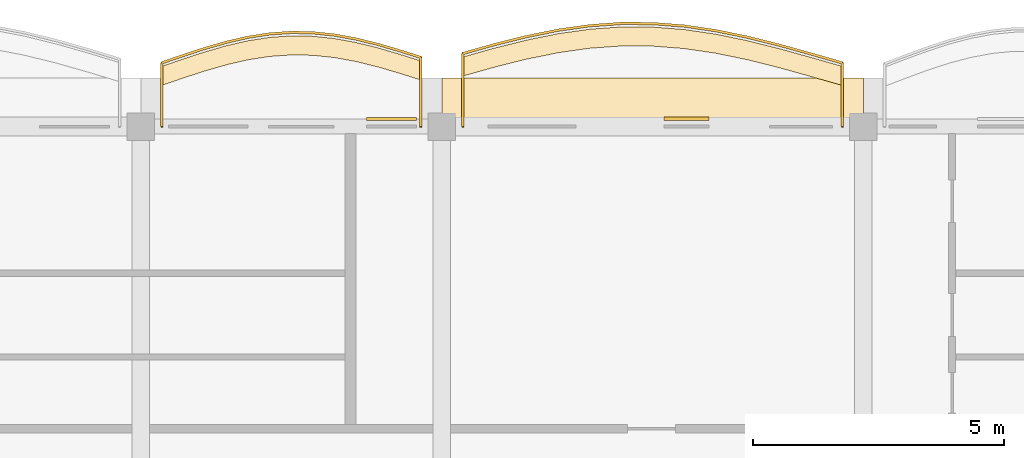
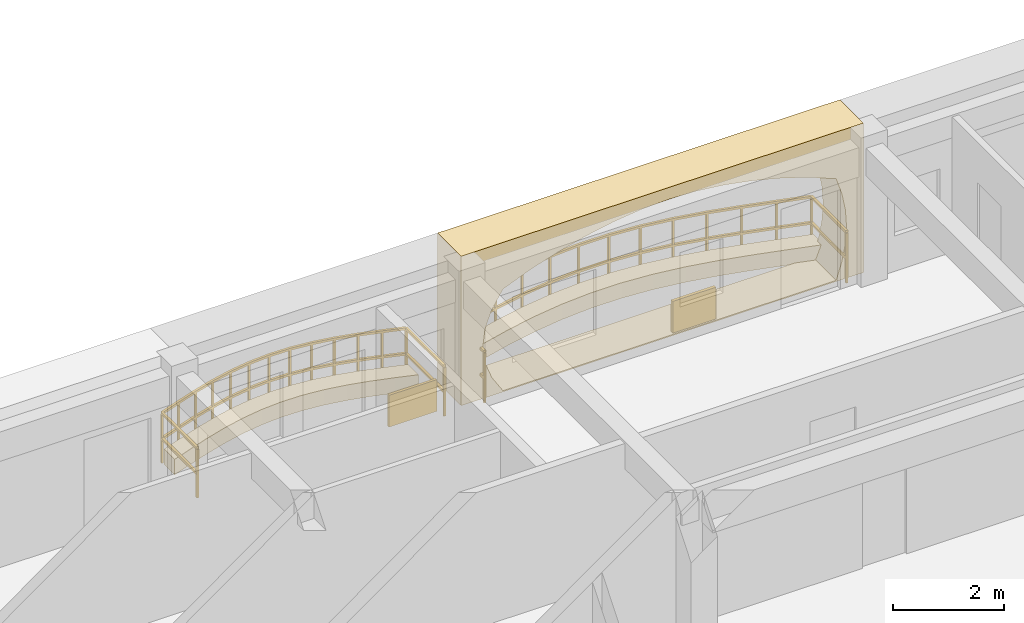
# One storey, part 50 of 54: 5 coverings, 2 railings.
"""IFC4 building model written with IfcOpenShell, lengths in metres."""

from ifc_helpers import new_model, si_unit, direction, frame, origin, origin_2d, place, context, subcontext, project, spatial, polyline, rectangle, outline, extrude, material, layer, layer_set, type_object, element, save


model = new_model("IFC4")

# Units and contexts
model_context = context("Model", 3, precision=1e-05, world=origin(), true_north=direction((0.0, 1.0)))
body_context = subcontext(model_context, "Body", "Model", "MODEL_VIEW")
ifc_project = project(units=[si_unit("LENGTHUNIT", "METRE"), si_unit("AREAUNIT", "SQUARE_METRE"), si_unit("VOLUMEUNIT", "CUBIC_METRE"), si_unit("PLANEANGLEUNIT", "RADIAN"), si_unit("MASSUNIT", "GRAM", prefix="KILO"), si_unit("THERMODYNAMICTEMPERATUREUNIT", "KELVIN")], contexts=[model_context])

# Site, building, storey
site_placement = place(None, origin())
site = spatial("IfcSite", under=ifc_project, at=site_placement, CompositionType="ELEMENT")
building_placement = place(site_placement, origin())
building = spatial("IfcBuilding", under=site, at=building_placement, Name="Thalorik Housing Commons", CompositionType="ELEMENT")
storey_placement = place(building_placement, frame((0.0, 0.0, 31.199951171875)))
storey = spatial("IfcBuildingStorey", under=building, at=storey_placement, Name="L09", CompositionType="ELEMENT", Elevation=31.199951171875)

# Coverings
ifc_material_1 = material(Name="Precast concrete C40/50", Category="concrete")
ifc_layer_1 = layer(ifc_material_1, 0.85009765625, Name="Precast concrete C40/50", Category="concrete")
ifc_layer_set_1 = layer_set([ifc_layer_1], Name="Precast concrete C40/50")
covering_type_1 = type_object("IfcCoveringType", Name="ARC-CLD-CUSH-850", PredefinedType="CLADDING", material=ifc_layer_set_1)
covering_1_placement = place(storey_placement, frame((133.800048828125, 124.142578125, 0.0), z_axis=(0.0, 0.0, 1.0), x_axis=(-1.0, 0.0, 0.0)))
element("IfcCovering", 1, at=covering_1_placement, inside=storey, type_object=covering_type_1, Name="L09 White Precast Curved Cushion Bay Frame 2896", PredefinedType="CLADDING", context=body_context, shape_type="SweptSolid", body=[
    extrude(outline(polyline([(-4.199951171875, 0.0), (4.199951171875, 0.0), (4.199951171875, 3.300048828125), (-4.199951171875, 3.300048828125), (-4.199951171875, 0.0)]), holes=[polyline([(3.327392578125, 0.02490234375), (3.562255859375, 0.399169921875), (3.703125, 0.773193359375), (3.75, 1.1474609375), (3.703125, 1.521728515625), (3.562255859375, 1.895751953125), (3.327392578125, 2.27001953125), (2.747802734375, 2.50439453125), (2.16796875, 2.6884765625), (1.588134765625, 2.837646484375), (1.00830078125, 2.948486328125), (0.428466796875, 3.016845703125), (-0.1513671875, 3.0400390625), (-0.73095703125, 3.016845703125), (-1.310791015625, 2.948486328125), (-1.890625, 2.837646484375), (-2.470458984375, 2.6884765625), (-3.05029296875, 2.50439453125), (-3.6298828125, 2.27001953125), (-3.750244140625, 1.895751953125), (-3.822509765625, 1.521728515625), (-3.8466796875, 1.1474609375), (-3.822509765625, 0.773193359375), (-3.750244140625, 0.399169921875), (-3.6298828125, 0.02490234375), (3.327392578125, 0.02490234375)])]), frame((0.0, 0.425048828125, 0.0), z_axis=(0.0, -1.0, 0.0), x_axis=(1.0, 0.0, 0.0)), (0.0, 0.0, 1.0), 0.85009765625),
])
ifc_material_2 = material(Name="Terracotta red mineral fibre-cement panel", Category="masonry")
ifc_layer_2 = layer(ifc_material_2, 0.054931640625, Name="Terracotta red mineral fibre-cement panel", Category="masonry")
ifc_layer_set_2 = layer_set([ifc_layer_2], Name="Terracotta red mineral fibre-cement panel")
covering_type_2 = type_object("IfcCoveringType", Name="ARC-CLD-RED-55", PredefinedType="CLADDING", material=ifc_layer_set_2)
covering_2_placement = place(storey_placement, frame((128.594970703125, 123.75, 0.05029296875), z_axis=(0.0, 0.0, 1.0), x_axis=(-1.0, 0.0, 0.0)))
element("IfcCovering", 2, at=covering_2_placement, inside=storey, type_object=covering_type_2, Name="L09 De Stijl Recessed Window Spandrel 2899", PredefinedType="CLADDING", context=body_context, shape_type="SweptSolid", body=[
    extrude(rectangle(XDim=1.0, YDim=0.054931640625, at=origin_2d()), origin(), (0.0, 0.0, 1.0), 0.699951171875),
])
ifc_material_3 = material(Name="Mineral ochre architectural terracotta panel", Category="masonry")
ifc_layer_3 = layer(ifc_material_3, 0.06494140625, Name="Mineral ochre architectural terracotta panel", Category="masonry")
ifc_layer_set_3 = layer_set([ifc_layer_3], Name="Mineral ochre architectural terracotta panel")
covering_type_3 = type_object("IfcCoveringType", Name="ARC-CLD-YEL-65", PredefinedType="CLADDING", material=ifc_layer_set_3)
covering_3_placement = place(storey_placement, frame((134.472412109375, 123.7548828125, 0.05029296875), z_axis=(0.0, 0.0, 1.0), x_axis=(-1.0, 0.0, 0.0)))
element("IfcCovering", 3, at=covering_3_placement, inside=storey, type_object=covering_type_3, Name="L09 De Stijl Recessed Window Spandrel 2897", PredefinedType="CLADDING", context=body_context, shape_type="SweptSolid", body=[
    extrude(rectangle(XDim=0.89990234375, YDim=0.06494140625, at=origin_2d()), origin(), (0.0, 0.0, 1.0), 0.699951171875),
])
ifc_material_4 = material(Name="Planted vegetated substrate and terracotta trough", Category="masonry")
ifc_layer_4 = layer(ifc_material_4, 0.340087890625, Name="Planted vegetated substrate and terracotta trough", Category="masonry")
ifc_layer_set_4 = layer_set([ifc_layer_4], Name="Planted vegetated substrate and terracotta trough")
covering_type_4 = type_object("IfcCoveringType", Name="ARC-COV-PLANTER", PredefinedType="USERDEFINED", material=ifc_layer_set_4)
covering_4_placement = place(storey_placement, origin())
element("IfcCovering", 4, at=covering_4_placement, inside=storey, type_object=covering_type_4, Name="L09 Balcony Slab-Edge Planted Trough 5532", ObjectType="PLANTER", PredefinedType="USERDEFINED", context=body_context, shape_type="SweptSolid", body=[
    extrude(outline(polyline([(129.179931640625, 124.908203125), (128.75, 125.04443359375), (128.320068359375, 125.170166015625), (127.889892578125, 125.2763671875), (127.4599609375, 125.35498046875), (127.030029296875, 125.39990234375), (126.60009765625, 125.407958984375), (126.169921875, 125.377685546875), (125.739990234375, 125.311279296875), (125.31005859375, 125.212890625), (124.8798828125, 125.089111328125), (124.449951171875, 124.948486328125), (124.02001953125, 124.80078125), (124.02001953125, 124.4208984375), (124.449951171875, 124.568603515625), (124.8798828125, 124.708984375), (125.31005859375, 124.832763671875), (125.739990234375, 124.931396484375), (126.169921875, 124.997802734375), (126.60009765625, 125.02783203125), (127.030029296875, 125.02001953125), (127.4599609375, 124.974853515625), (127.889892578125, 124.896240234375), (128.320068359375, 124.790283203125), (128.75, 124.664306640625), (129.179931640625, 124.5283203125), (129.179931640625, 124.908203125)])), origin(), (0.0, 0.0, 1.0), 0.340087890625),
])
covering_5_placement = place(storey_placement, origin())
element("IfcCovering", 5, at=covering_5_placement, inside=storey, type_object=covering_type_4, Name="L09 Balcony Slab-Edge Planted Trough 5533", ObjectType="PLANTER", PredefinedType="USERDEFINED", context=body_context, shape_type="SweptSolid", body=[
    extrude(outline(polyline([(137.580078125, 124.79931640625), (136.949951171875, 124.97900390625), (136.320068359375, 125.15380859375), (135.68994140625, 125.3115234375), (135.06005859375, 125.44140625), (134.429931640625, 125.5341796875), (133.800048828125, 125.58349609375), (133.169921875, 125.58544921875), (132.5400390625, 125.5400390625), (131.909912109375, 125.4501953125), (131.280029296875, 125.322021484375), (130.64990234375, 125.1640625), (130.02001953125, 124.9873046875), (130.02001953125, 124.607421875), (130.64990234375, 124.7841796875), (131.280029296875, 124.94189453125), (131.909912109375, 125.0703125), (132.5400390625, 125.16015625), (133.169921875, 125.20556640625), (133.800048828125, 125.203369140625), (134.429931640625, 125.154296875), (135.06005859375, 125.061279296875), (135.68994140625, 124.931640625), (136.320068359375, 124.773681640625), (136.949951171875, 124.598876953125), (137.580078125, 124.419189453125), (137.580078125, 124.79931640625)])), origin(), (0.0, 0.0, 1.0), 0.340087890625),
])

# Railings
ifc_material_5 = material(Name="Steel S355", Category="steel")
railing_type_1 = type_object("IfcRailingType", Name="ARC-RL-BAL-112", PredefinedType="BALUSTRADE", material=ifc_material_5)
railing_1_placement = place(storey_placement, frame((129.179931640625, 123.60009765625, 0.0)))
element("IfcRailing", 6, at=railing_1_placement, inside=storey, type_object=railing_type_1, Name="L09 Cushion Balcony Guardrail 216", PredefinedType="BALUSTRADE", context=body_context, shape_type="SweptSolid", body=[
    extrude(rectangle(XDim=0.050048828125, YDim=0.050048828125, at=origin_2d()), frame((0.0, 0.0, 1.09521484375), z_axis=(0.0, 1.0, 0.0), x_axis=(-1.0, 0.0, 0.0)), (0.0, 0.0, 1.0), 1.378173828125),
    extrude(rectangle(XDim=0.050048828125, YDim=0.050048828125, at=origin_2d()), frame((0.0, 0.0, 0.53515625), z_axis=(0.0, 1.0, 0.0), x_axis=(-1.0, 0.0, 0.0)), (0.0, 0.0, 1.0), 1.378173828125),
    extrude(rectangle(XDim=0.050048828125, YDim=0.050048828125, at=origin_2d()), frame((0.0, 1.378173828125, 1.09521484375), z_axis=(-0.953287680153, 0.302063898652, 0.0), x_axis=(-0.302063898652, -0.953287680153, 0.0)), (0.0, 0.0, 1.0), 0.450927734375),
    extrude(rectangle(XDim=0.050048828125, YDim=0.050048828125, at=origin_2d()), frame((0.0, 1.378173828125, 0.53515625), z_axis=(-0.953287680153, 0.302063898652, 0.0), x_axis=(-0.302063898652, -0.953287680153, 0.0)), (0.0, 0.0, 1.0), 0.450927734375),
    extrude(rectangle(XDim=0.050048828125, YDim=0.050048828125, at=origin_2d()), frame((-0.429931640625, 1.514404296875, 1.09521484375), z_axis=(-0.959798308367, 0.280690589897, 0.0), x_axis=(-0.280690589897, -0.959798308367, 0.0)), (0.0, 0.0, 1.0), 0.447998046875),
    extrude(rectangle(XDim=0.050048828125, YDim=0.050048828125, at=origin_2d()), frame((-0.429931640625, 1.514404296875, 0.53515625), z_axis=(-0.959798308367, 0.280690589897, 0.0), x_axis=(-0.280690589897, -0.959798308367, 0.0)), (0.0, 0.0, 1.0), 0.447998046875),
    extrude(rectangle(XDim=0.050048828125, YDim=0.050048828125, at=origin_2d()), frame((-0.85986328125, 1.64013671875, 1.09521484375), z_axis=(-0.970979450466, 0.239162929343, 0.0), x_axis=(-0.239162929343, -0.970979450466, 0.0)), (0.0, 0.0, 1.0), 0.443115234375),
    extrude(rectangle(XDim=0.050048828125, YDim=0.050048828125, at=origin_2d()), frame((-0.85986328125, 1.64013671875, 0.53515625), z_axis=(-0.970979450466, 0.239162929343, 0.0), x_axis=(-0.239162929343, -0.970979450466, 0.0)), (0.0, 0.0, 1.0), 0.443115234375),
    extrude(rectangle(XDim=0.050048828125, YDim=0.050048828125, at=origin_2d()), frame((-1.2900390625, 1.74609375, 1.09521484375), z_axis=(-0.983690667617, 0.179868480961, 0.0), x_axis=(-0.179868480961, -0.983690667617, 0.0)), (0.0, 0.0, 1.0), 0.43701171875),
    extrude(rectangle(XDim=0.050048828125, YDim=0.050048828125, at=origin_2d()), frame((-1.2900390625, 1.74609375, 0.53515625), z_axis=(-0.983690667617, 0.179868480961, 0.0), x_axis=(-0.179868480961, -0.983690667617, 0.0)), (0.0, 0.0, 1.0), 0.43701171875),
    extrude(rectangle(XDim=0.050048828125, YDim=0.050048828125, at=origin_2d()), frame((-1.719970703125, 1.82470703125, 1.09521484375), z_axis=(-0.994527093325, 0.104478996176, 0.0), x_axis=(-0.104478996176, -0.994527093325, 0.0)), (0.0, 0.0, 1.0), 0.432373046875),
    extrude(rectangle(XDim=0.050048828125, YDim=0.050048828125, at=origin_2d()), frame((-1.719970703125, 1.82470703125, 0.53515625), z_axis=(-0.994527093325, 0.104478996176, 0.0), x_axis=(-0.104478996176, -0.994527093325, 0.0)), (0.0, 0.0, 1.0), 0.432373046875),
    extrude(rectangle(XDim=0.050048828125, YDim=0.050048828125, at=origin_2d()), frame((-2.14990234375, 1.869873046875, 1.09521484375), z_axis=(-0.999834939289, 0.01816849407, 0.0), x_axis=(-0.01816849407, -0.999834939289, 0.0)), (0.0, 0.0, 1.0), 0.429931640625),
    extrude(rectangle(XDim=0.050048828125, YDim=0.050048828125, at=origin_2d()), frame((-2.14990234375, 1.869873046875, 0.53515625), z_axis=(-0.999834939289, 0.01816849407, 0.0), x_axis=(-0.01816849407, -0.999834939289, 0.0)), (0.0, 0.0, 1.0), 0.429931640625),
    extrude(rectangle(XDim=0.050048828125, YDim=0.050048828125, at=origin_2d()), frame((-2.579833984375, 1.877685546875, 1.09521484375), z_axis=(-0.997572357633, -0.069637570936, 0.0), x_axis=(0.069637570936, -0.997572357633, 0.0)), (0.0, 0.0, 1.0), 0.43115234375),
    extrude(rectangle(XDim=0.050048828125, YDim=0.050048828125, at=origin_2d()), frame((-2.579833984375, 1.877685546875, 0.53515625), z_axis=(-0.997572357633, -0.069637570936, 0.0), x_axis=(0.069637570936, -0.997572357633, 0.0)), (0.0, 0.0, 1.0), 0.43115234375),
    extrude(rectangle(XDim=0.050048828125, YDim=0.050048828125, at=origin_2d()), frame((-3.010009765625, 1.84765625, 1.09521484375), z_axis=(-0.988280690568, -0.152647556976, 0.0), x_axis=(0.152647556976, -0.988280690568, 0.0)), (0.0, 0.0, 1.0), 0.43505859375),
    extrude(rectangle(XDim=0.050048828125, YDim=0.050048828125, at=origin_2d()), frame((-3.010009765625, 1.84765625, 0.53515625), z_axis=(-0.988280690568, -0.152647556976, 0.0), x_axis=(0.152647556976, -0.988280690568, 0.0)), (0.0, 0.0, 1.0), 0.43505859375),
    extrude(rectangle(XDim=0.050048828125, YDim=0.050048828125, at=origin_2d()), frame((-3.43994140625, 1.78125, 1.09521484375), z_axis=(-0.974679568058, -0.2236062155, 0.0), x_axis=(0.2236062155, -0.974679568058, 0.0)), (0.0, 0.0, 1.0), 0.441162109375),
    extrude(rectangle(XDim=0.050048828125, YDim=0.050048828125, at=origin_2d()), frame((-3.43994140625, 1.78125, 0.53515625), z_axis=(-0.974679568058, -0.2236062155, 0.0), x_axis=(0.2236062155, -0.974679568058, 0.0)), (0.0, 0.0, 1.0), 0.441162109375),
    extrude(rectangle(XDim=0.050048828125, YDim=0.050048828125, at=origin_2d()), frame((-3.869873046875, 1.6826171875, 1.09521484375), z_axis=(-0.961007725956, -0.27652151933, 0.0), x_axis=(0.27652151933, -0.961007725956, 0.0)), (0.0, 0.0, 1.0), 0.447509765625),
    extrude(rectangle(XDim=0.050048828125, YDim=0.050048828125, at=origin_2d()), frame((-3.869873046875, 1.6826171875, 0.53515625), z_axis=(-0.961007725956, -0.27652151933, 0.0), x_axis=(0.27652151933, -0.961007725956, 0.0)), (0.0, 0.0, 1.0), 0.447509765625),
    extrude(rectangle(XDim=0.050048828125, YDim=0.050048828125, at=origin_2d()), frame((-4.300048828125, 1.558837890625, 1.09521484375), z_axis=(-0.950608707094, -0.310391826564, 0.0), x_axis=(0.310391826564, -0.950608707094, 0.0)), (0.0, 0.0, 1.0), 0.4521484375),
    extrude(rectangle(XDim=0.050048828125, YDim=0.050048828125, at=origin_2d()), frame((-4.300048828125, 1.558837890625, 0.53515625), z_axis=(-0.950608707094, -0.310391826564, 0.0), x_axis=(0.310391826564, -0.950608707094, 0.0)), (0.0, 0.0, 1.0), 0.4521484375),
    extrude(rectangle(XDim=0.050048828125, YDim=0.050048828125, at=origin_2d()), frame((-4.72998046875, 1.41845703125, 1.09521484375), z_axis=(-0.945743338546, -0.324914662022, 0.0), x_axis=(0.324914662022, -0.945743338546, 0.0)), (0.0, 0.0, 1.0), 0.45458984375),
    extrude(rectangle(XDim=0.050048828125, YDim=0.050048828125, at=origin_2d()), frame((-4.72998046875, 1.41845703125, 0.53515625), z_axis=(-0.945743338546, -0.324914662022, 0.0), x_axis=(0.324914662022, -0.945743338546, 0.0)), (0.0, 0.0, 1.0), 0.45458984375),
    extrude(rectangle(XDim=0.050048828125, YDim=0.050048828125, at=origin_2d()), frame((-5.159912109375, 1.270751953125, 1.09521484375), z_axis=(0.0, -1.0, 0.0), x_axis=(1.0, 0.0, 0.0)), (0.0, 0.0, 1.0), 1.270751953125),
    extrude(rectangle(XDim=0.050048828125, YDim=0.050048828125, at=origin_2d()), frame((-5.159912109375, 1.270751953125, 0.53515625), z_axis=(0.0, -1.0, 0.0), x_axis=(1.0, 0.0, 0.0)), (0.0, 0.0, 1.0), 1.270751953125),
    extrude(rectangle(XDim=0.0419921875, YDim=0.0419921875, at=origin_2d()), origin(), (0.0, 0.0, 1.0), 1.070068359375),
    extrude(rectangle(XDim=0.0419921875, YDim=0.0419921875, at=origin_2d()), frame((0.0, 1.378173828125, 0.0)), (0.0, 0.0, 1.0), 1.070068359375),
    extrude(rectangle(XDim=0.0419921875, YDim=0.0419921875, at=origin_2d()), frame((-0.429931640625, 1.514404296875, 0.0)), (0.0, 0.0, 1.0), 1.070068359375),
    extrude(rectangle(XDim=0.0419921875, YDim=0.0419921875, at=origin_2d()), frame((-0.85986328125, 1.64013671875, 0.0)), (0.0, 0.0, 1.0), 1.070068359375),
    extrude(rectangle(XDim=0.0419921875, YDim=0.0419921875, at=origin_2d()), frame((-1.2900390625, 1.74609375, 0.0)), (0.0, 0.0, 1.0), 1.070068359375),
    extrude(rectangle(XDim=0.0419921875, YDim=0.0419921875, at=origin_2d()), frame((-1.719970703125, 1.82470703125, 0.0)), (0.0, 0.0, 1.0), 1.070068359375),
    extrude(rectangle(XDim=0.0419921875, YDim=0.0419921875, at=origin_2d()), frame((-2.14990234375, 1.869873046875, 0.0)), (0.0, 0.0, 1.0), 1.070068359375),
    extrude(rectangle(XDim=0.0419921875, YDim=0.0419921875, at=origin_2d()), frame((-2.579833984375, 1.877685546875, 0.0)), (0.0, 0.0, 1.0), 1.070068359375),
    extrude(rectangle(XDim=0.0419921875, YDim=0.0419921875, at=origin_2d()), frame((-3.010009765625, 1.84765625, 0.0)), (0.0, 0.0, 1.0), 1.070068359375),
    extrude(rectangle(XDim=0.0419921875, YDim=0.0419921875, at=origin_2d()), frame((-3.43994140625, 1.78125, 0.0)), (0.0, 0.0, 1.0), 1.070068359375),
    extrude(rectangle(XDim=0.0419921875, YDim=0.0419921875, at=origin_2d()), frame((-3.869873046875, 1.6826171875, 0.0)), (0.0, 0.0, 1.0), 1.070068359375),
    extrude(rectangle(XDim=0.0419921875, YDim=0.0419921875, at=origin_2d()), frame((-4.300048828125, 1.558837890625, 0.0)), (0.0, 0.0, 1.0), 1.070068359375),
    extrude(rectangle(XDim=0.0419921875, YDim=0.0419921875, at=origin_2d()), frame((-4.72998046875, 1.41845703125, 0.0)), (0.0, 0.0, 1.0), 1.070068359375),
    extrude(rectangle(XDim=0.0419921875, YDim=0.0419921875, at=origin_2d()), frame((-5.159912109375, 1.270751953125, 0.0)), (0.0, 0.0, 1.0), 1.070068359375),
    extrude(rectangle(XDim=0.0419921875, YDim=0.0419921875, at=origin_2d()), frame((-5.159912109375, 0.0, 0.0)), (0.0, 0.0, 1.0), 1.070068359375),
])
railing_type_2 = type_object("IfcRailingType", Name="ARC-RL-BAL-115", PredefinedType="BALUSTRADE", material=ifc_material_5)
railing_2_placement = place(storey_placement, frame((137.580078125, 123.60009765625, 0.0)))
element("IfcRailing", 7, at=railing_2_placement, inside=storey, type_object=railing_type_2, Name="L09 Cushion Balcony Guardrail 217", PredefinedType="BALUSTRADE", context=body_context, shape_type="SweptSolid", body=[
    extrude(rectangle(XDim=0.050048828125, YDim=0.050048828125, at=origin_2d()), frame((0.0, 0.0, 1.125), z_axis=(0.0, 1.0, 0.0), x_axis=(-1.0, 0.0, 0.0)), (0.0, 0.0, 1.0), 1.26904296875),
    extrude(rectangle(XDim=0.050048828125, YDim=0.050048828125, at=origin_2d()), frame((0.0, 0.0, 0.5498046875), z_axis=(0.0, 1.0, 0.0), x_axis=(-1.0, 0.0, 0.0)), (0.0, 0.0, 1.0), 1.26904296875),
    extrude(rectangle(XDim=0.050048828125, YDim=0.050048828125, at=origin_2d()), frame((0.0, 1.26904296875, 1.125), z_axis=(-0.96166442312, 0.274228986988, 0.0), x_axis=(-0.274228986988, -0.96166442312, 0.0)), (0.0, 0.0, 1.0), 0.6552734375),
    extrude(rectangle(XDim=0.050048828125, YDim=0.050048828125, at=origin_2d()), frame((0.0, 1.26904296875, 0.5498046875), z_axis=(-0.96166442312, 0.274228986988, 0.0), x_axis=(-0.274228986988, -0.96166442312, 0.0)), (0.0, 0.0, 1.0), 0.6552734375),
    extrude(rectangle(XDim=0.050048828125, YDim=0.050048828125, at=origin_2d()), frame((-0.630126953125, 1.44873046875, 1.125), z_axis=(-0.963485801487, 0.267759426227, 0.0), x_axis=(-0.267759426227, -0.963485801487, 0.0)), (0.0, 0.0, 1.0), 0.65380859375),
    extrude(rectangle(XDim=0.050048828125, YDim=0.050048828125, at=origin_2d()), frame((-0.630126953125, 1.44873046875, 0.5498046875), z_axis=(-0.963485801487, 0.267759426227, 0.0), x_axis=(-0.267759426227, -0.963485801487, 0.0)), (0.0, 0.0, 1.0), 0.65380859375),
    extrude(rectangle(XDim=0.050048828125, YDim=0.050048828125, at=origin_2d()), frame((-1.260009765625, 1.623779296875, 1.125), z_axis=(-0.970076136899, 0.242800923842, 0.0), x_axis=(-0.242800923842, -0.970076136899, 0.0)), (0.0, 0.0, 1.0), 0.649658203125),
    extrude(rectangle(XDim=0.050048828125, YDim=0.050048828125, at=origin_2d()), frame((-1.260009765625, 1.623779296875, 0.5498046875), z_axis=(-0.970076136899, 0.242800923842, 0.0), x_axis=(-0.242800923842, -0.970076136899, 0.0)), (0.0, 0.0, 1.0), 0.649658203125),
    extrude(rectangle(XDim=0.050048828125, YDim=0.050048828125, at=origin_2d()), frame((-1.89013671875, 1.781494140625, 1.125), z_axis=(-0.979395251557, 0.201952819313, 0.0), x_axis=(-0.201952819313, -0.979395251557, 0.0)), (0.0, 0.0, 1.0), 0.64306640625),
    extrude(rectangle(XDim=0.050048828125, YDim=0.050048828125, at=origin_2d()), frame((-1.89013671875, 1.781494140625, 0.5498046875), z_axis=(-0.979395251557, 0.201952819313, 0.0), x_axis=(-0.201952819313, -0.979395251557, 0.0)), (0.0, 0.0, 1.0), 0.64306640625),
    extrude(rectangle(XDim=0.050048828125, YDim=0.050048828125, at=origin_2d()), frame((-2.52001953125, 1.911376953125, 1.125), z_axis=(-0.989334778936, 0.145659518015, 0.0), x_axis=(-0.145659518015, -0.989334778936, 0.0)), (0.0, 0.0, 1.0), 0.636962890625),
    extrude(rectangle(XDim=0.050048828125, YDim=0.050048828125, at=origin_2d()), frame((-2.52001953125, 1.911376953125, 0.5498046875), z_axis=(-0.989334778936, 0.145659518015, 0.0), x_axis=(-0.145659518015, -0.989334778936, 0.0)), (0.0, 0.0, 1.0), 0.636962890625),
    extrude(rectangle(XDim=0.050048828125, YDim=0.050048828125, at=origin_2d()), frame((-3.150146484375, 2.004150390625, 1.125), z_axis=(-0.996978996531, 0.077671619497, 0.0), x_axis=(-0.077671619497, -0.996978996531, 0.0)), (0.0, 0.0, 1.0), 0.6318359375),
    extrude(rectangle(XDim=0.050048828125, YDim=0.050048828125, at=origin_2d()), frame((-3.150146484375, 2.004150390625, 0.5498046875), z_axis=(-0.996978996531, 0.077671619497, 0.0), x_axis=(-0.077671619497, -0.996978996531, 0.0)), (0.0, 0.0, 1.0), 0.6318359375),
    extrude(rectangle(XDim=0.050048828125, YDim=0.050048828125, at=origin_2d()), frame((-3.780029296875, 2.05322265625, 1.125), z_axis=(-0.999993920399, 0.003486999335, 0.0), x_axis=(-0.003486999335, -0.999993920399, 0.0)), (0.0, 0.0, 1.0), 0.630126953125),
    extrude(rectangle(XDim=0.050048828125, YDim=0.050048828125, at=origin_2d()), frame((-3.780029296875, 2.05322265625, 0.5498046875), z_axis=(-0.999993920399, 0.003486999335, 0.0), x_axis=(-0.003486999335, -0.999993920399, 0.0)), (0.0, 0.0, 1.0), 0.630126953125),
    extrude(rectangle(XDim=0.050048828125, YDim=0.050048828125, at=origin_2d()), frame((-4.41015625, 2.055419921875, 1.125), z_axis=(-0.997411384201, -0.071906402117, 0.0), x_axis=(0.071906402117, -0.997411384201, 0.0)), (0.0, 0.0, 1.0), 0.631591796875),
    extrude(rectangle(XDim=0.050048828125, YDim=0.050048828125, at=origin_2d()), frame((-4.41015625, 2.055419921875, 0.5498046875), z_axis=(-0.997411384201, -0.071906402117, 0.0), x_axis=(0.071906402117, -0.997411384201, 0.0)), (0.0, 0.0, 1.0), 0.631591796875),
    extrude(rectangle(XDim=0.050048828125, YDim=0.050048828125, at=origin_2d()), frame((-5.0400390625, 2.010009765625, 1.125), z_axis=(-0.989987814004, -0.14115285376, 0.0), x_axis=(0.14115285376, -0.989987814004, 0.0)), (0.0, 0.0, 1.0), 0.636474609375),
    extrude(rectangle(XDim=0.050048828125, YDim=0.050048828125, at=origin_2d()), frame((-5.0400390625, 2.010009765625, 0.5498046875), z_axis=(-0.989987814004, -0.14115285376, 0.0), x_axis=(0.14115285376, -0.989987814004, 0.0)), (0.0, 0.0, 1.0), 0.636474609375),
    extrude(rectangle(XDim=0.050048828125, YDim=0.050048828125, at=origin_2d()), frame((-5.670166015625, 1.920166015625, 1.125), z_axis=(-0.979917798202, -0.199401877541, 0.0), x_axis=(0.199401877541, -0.979917798202, 0.0)), (0.0, 0.0, 1.0), 0.642822265625),
    extrude(rectangle(XDim=0.050048828125, YDim=0.050048828125, at=origin_2d()), frame((-5.670166015625, 1.920166015625, 0.5498046875), z_axis=(-0.979917798202, -0.199401877541, 0.0), x_axis=(0.199401877541, -0.979917798202, 0.0)), (0.0, 0.0, 1.0), 0.642822265625),
    extrude(rectangle(XDim=0.050048828125, YDim=0.050048828125, at=origin_2d()), frame((-6.300048828125, 1.7919921875, 1.125), z_axis=(-0.969987553877, -0.243154570848, 0.0), x_axis=(0.243154570848, -0.969987553877, 0.0)), (0.0, 0.0, 1.0), 0.649658203125),
    extrude(rectangle(XDim=0.050048828125, YDim=0.050048828125, at=origin_2d()), frame((-6.300048828125, 1.7919921875, 0.5498046875), z_axis=(-0.969987553877, -0.243154570848, 0.0), x_axis=(0.243154570848, -0.969987553877, 0.0)), (0.0, 0.0, 1.0), 0.649658203125),
    extrude(rectangle(XDim=0.050048828125, YDim=0.050048828125, at=origin_2d()), frame((-6.93017578125, 1.634033203125, 1.125), z_axis=(-0.962808829557, -0.270183563023, 0.0), x_axis=(0.270183563023, -0.962808829557, 0.0)), (0.0, 0.0, 1.0), 0.654296875),
    extrude(rectangle(XDim=0.050048828125, YDim=0.050048828125, at=origin_2d()), frame((-6.93017578125, 1.634033203125, 0.5498046875), z_axis=(-0.962808829557, -0.270183563023, 0.0), x_axis=(0.270183563023, -0.962808829557, 0.0)), (0.0, 0.0, 1.0), 0.654296875),
    extrude(rectangle(XDim=0.050048828125, YDim=0.050048828125, at=origin_2d()), frame((-7.56005859375, 1.457275390625, 1.125), z_axis=(0.0, -1.0, 0.0), x_axis=(1.0, 0.0, 0.0)), (0.0, 0.0, 1.0), 1.457275390625),
    extrude(rectangle(XDim=0.050048828125, YDim=0.050048828125, at=origin_2d()), frame((-7.56005859375, 1.457275390625, 0.5498046875), z_axis=(0.0, -1.0, 0.0), x_axis=(1.0, 0.0, 0.0)), (0.0, 0.0, 1.0), 1.457275390625),
    extrude(rectangle(XDim=0.0419921875, YDim=0.0419921875, at=origin_2d()), origin(), (0.0, 0.0, 1.0), 1.099853515625),
    extrude(rectangle(XDim=0.0419921875, YDim=0.0419921875, at=origin_2d()), frame((0.0, 1.26904296875, 0.0)), (0.0, 0.0, 1.0), 1.099853515625),
    extrude(rectangle(XDim=0.0419921875, YDim=0.0419921875, at=origin_2d()), frame((-0.630126953125, 1.44873046875, 0.0)), (0.0, 0.0, 1.0), 1.099853515625),
    extrude(rectangle(XDim=0.0419921875, YDim=0.0419921875, at=origin_2d()), frame((-1.260009765625, 1.623779296875, 0.0)), (0.0, 0.0, 1.0), 1.099853515625),
    extrude(rectangle(XDim=0.0419921875, YDim=0.0419921875, at=origin_2d()), frame((-1.89013671875, 1.781494140625, 0.0)), (0.0, 0.0, 1.0), 1.099853515625),
    extrude(rectangle(XDim=0.0419921875, YDim=0.0419921875, at=origin_2d()), frame((-2.52001953125, 1.911376953125, 0.0)), (0.0, 0.0, 1.0), 1.099853515625),
    extrude(rectangle(XDim=0.0419921875, YDim=0.0419921875, at=origin_2d()), frame((-3.150146484375, 2.004150390625, 0.0)), (0.0, 0.0, 1.0), 1.099853515625),
    extrude(rectangle(XDim=0.0419921875, YDim=0.0419921875, at=origin_2d()), frame((-3.780029296875, 2.05322265625, 0.0)), (0.0, 0.0, 1.0), 1.099853515625),
    extrude(rectangle(XDim=0.0419921875, YDim=0.0419921875, at=origin_2d()), frame((-4.41015625, 2.055419921875, 0.0)), (0.0, 0.0, 1.0), 1.099853515625),
    extrude(rectangle(XDim=0.0419921875, YDim=0.0419921875, at=origin_2d()), frame((-5.0400390625, 2.010009765625, 0.0)), (0.0, 0.0, 1.0), 1.099853515625),
    extrude(rectangle(XDim=0.0419921875, YDim=0.0419921875, at=origin_2d()), frame((-5.670166015625, 1.920166015625, 0.0)), (0.0, 0.0, 1.0), 1.099853515625),
    extrude(rectangle(XDim=0.0419921875, YDim=0.0419921875, at=origin_2d()), frame((-6.300048828125, 1.7919921875, 0.0)), (0.0, 0.0, 1.0), 1.099853515625),
    extrude(rectangle(XDim=0.0419921875, YDim=0.0419921875, at=origin_2d()), frame((-6.93017578125, 1.634033203125, 0.0)), (0.0, 0.0, 1.0), 1.099853515625),
    extrude(rectangle(XDim=0.0419921875, YDim=0.0419921875, at=origin_2d()), frame((-7.56005859375, 1.457275390625, 0.0)), (0.0, 0.0, 1.0), 1.099853515625),
    extrude(rectangle(XDim=0.0419921875, YDim=0.0419921875, at=origin_2d()), frame((-7.56005859375, 0.0, 0.0)), (0.0, 0.0, 1.0), 1.099853515625),
])

save(model, "model.ifc")
